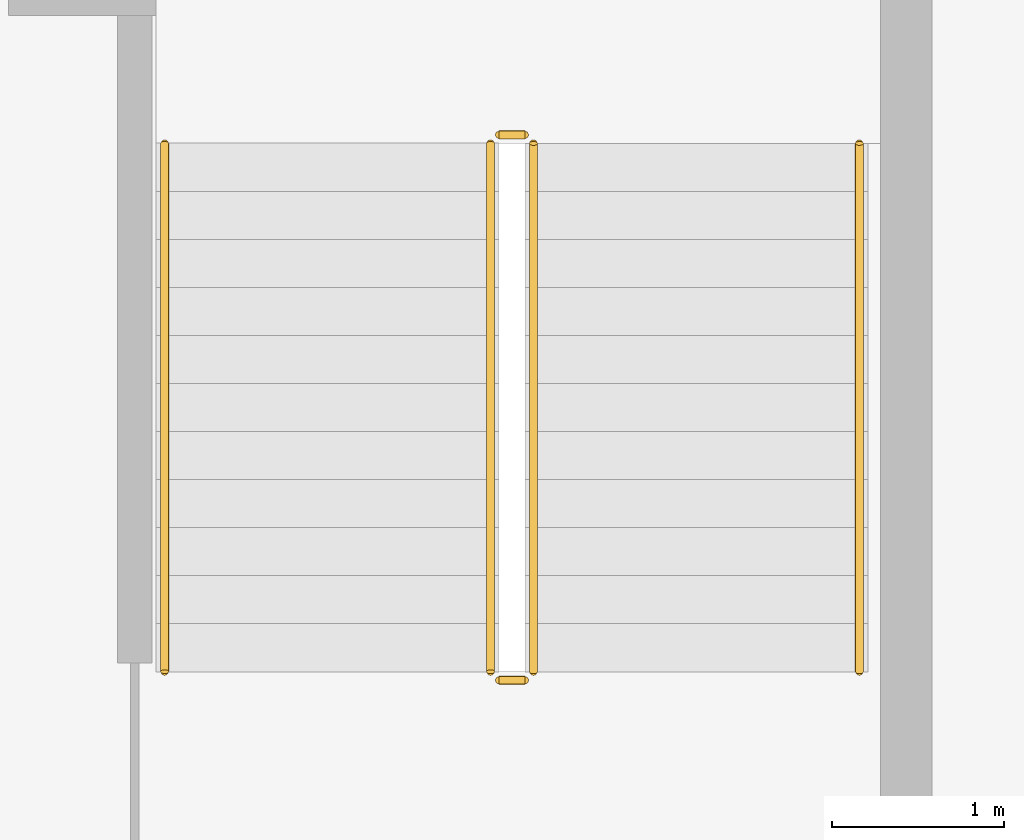
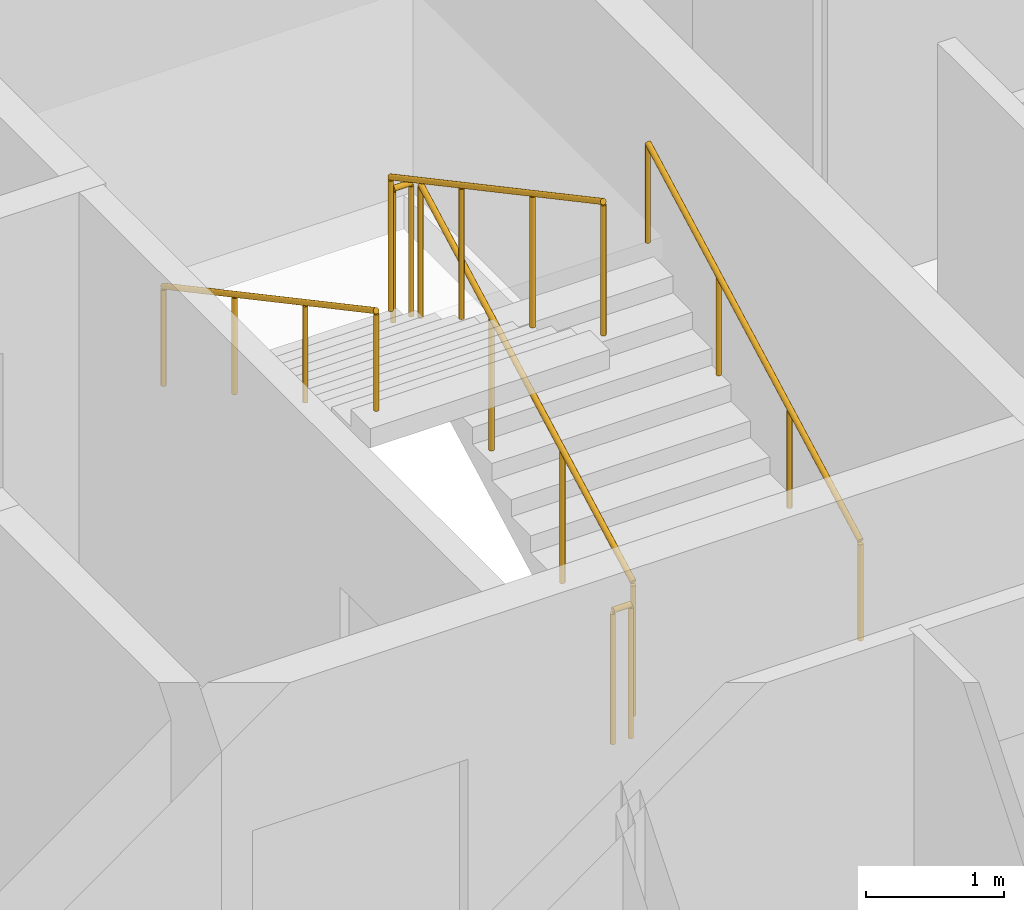
# One storey, part 15 of 15: 6 railings.
"""IFC4 building model written with IfcOpenShell, lengths in metres."""

from ifc_helpers import new_model, si_unit, direction, frame, origin, origin_2d, place, context, subcontext, project, spatial, circle, extrude, material, type_object, element, save


model = new_model("IFC4")

# Units and contexts
model_context = context("Model", 3, precision=1e-05, world=origin(), true_north=direction((0.0, 1.0)))
body_context = subcontext(model_context, "Body", "Model", "MODEL_VIEW")
ifc_project = project(units=[si_unit("LENGTHUNIT", "METRE"), si_unit("AREAUNIT", "SQUARE_METRE"), si_unit("VOLUMEUNIT", "CUBIC_METRE"), si_unit("PLANEANGLEUNIT", "RADIAN"), si_unit("MASSUNIT", "GRAM", prefix="KILO")], contexts=[model_context])

# Site, building, storey
site_placement = place(None, origin())
site = spatial("IfcSite", under=ifc_project, at=site_placement, CompositionType="ELEMENT")
building_placement = place(site_placement, origin())
building = spatial("IfcBuilding", under=site, at=building_placement, Name="Caravel Reach Hotel and Residences", CompositionType="ELEMENT")
storey_placement = place(building_placement, frame((0.0, 0.0, 108.0)))
storey = spatial("IfcBuildingStorey", under=building, at=storey_placement, Name="L26", CompositionType="ELEMENT", Elevation=108.0)

# Railings
ifc_material_1 = material(Name="Steel balustrade with glass infill", Category="steel")
railing_type_1 = type_object("IfcRailingType", Name="Guard 1200", PredefinedType="GUARDRAIL", material=ifc_material_1)
railing_1_placement = place(storey_placement, frame((42.824951171875, 24.64990234375, 0.14990234375)))
element("IfcRailing", 1, at=railing_1_placement, inside=storey, type_object=railing_type_1, Name="L26 ST-B stair guard 1", PredefinedType="GUARDRAIL", context=body_context, shape_type="SweptSolid", body=[
    extrude(circle(Radius=0.02392578125, at=origin_2d()), frame((0.0, 0.0, 1.17578125), z_axis=(0.0, 0.881467505477, 0.472244678941), x_axis=(-1.0, 0.0, 0.0)), (0.0, 0.0, 1.0), 3.494140625),
    extrude(circle(Radius=0.02099609375, at=origin_2d()), origin(), (0.0, 0.0, 1.0), 1.15185546875),
    extrude(circle(Radius=0.02099609375, at=origin_2d()), frame((0.0, 1.026611328125, 0.550048828125)), (0.0, 0.0, 1.0), 1.15185546875),
    extrude(circle(Radius=0.02099609375, at=origin_2d()), frame((0.0, 2.053466796875, 1.10009765625)), (0.0, 0.0, 1.0), 1.15185546875),
    extrude(circle(Radius=0.02099609375, at=origin_2d()), frame((0.0, 3.080078125, 1.650146484375)), (0.0, 0.0, 1.0), 1.15185546875),
])
railing_2_placement = place(storey_placement, frame((42.77490234375, 27.780029296875, 1.800048828125)))
element("IfcRailing", 2, at=railing_2_placement, inside=storey, type_object=railing_type_1, Name="L26 ST-B stair guard 2", PredefinedType="GUARDRAIL", context=body_context, shape_type="SweptSolid", body=[
    extrude(circle(Radius=0.02392578125, at=origin_2d()), frame((0.0, 0.0, 1.17578125), z_axis=(-1.0, 0.0, 0.0), x_axis=(0.0, -1.0, 0.0)), (0.0, 0.0, 1.0), 0.14990234375),
    extrude(circle(Radius=0.02099609375, at=origin_2d()), origin(), (0.0, 0.0, 1.0), 1.15185546875),
    extrude(circle(Radius=0.02099609375, at=origin_2d()), frame((-0.14990234375, 0.0, 0.0)), (0.0, 0.0, 1.0), 1.15185546875),
])
railing_3_placement = place(storey_placement, frame((42.574951171875, 27.72998046875, 1.949951171875)))
element("IfcRailing", 3, at=railing_3_placement, inside=storey, type_object=railing_type_1, Name="L26 ST-B stair guard 3", PredefinedType="GUARDRAIL", context=body_context, shape_type="SweptSolid", body=[
    extrude(circle(Radius=0.02392578125, at=origin_2d()), frame((0.0, 0.0, 1.17578125), z_axis=(0.0, -0.881467505477, 0.472244678941), x_axis=(1.0, 0.0, 0.0)), (0.0, 0.0, 1.0), 3.494140625),
    extrude(circle(Radius=0.02099609375, at=origin_2d()), origin(), (0.0, 0.0, 1.0), 1.15185546875),
    extrude(circle(Radius=0.02099609375, at=origin_2d()), frame((0.0, -1.026611328125, 0.550048828125)), (0.0, 0.0, 1.0), 1.15185546875),
    extrude(circle(Radius=0.02099609375, at=origin_2d()), frame((0.0, -2.053466796875, 1.10009765625)), (0.0, 0.0, 1.0), 1.15185546875),
    extrude(circle(Radius=0.02099609375, at=origin_2d()), frame((0.0, -3.080078125, 1.650146484375)), (0.0, 0.0, 1.0), 1.15185546875),
])
railing_4_placement = place(storey_placement, frame((42.77490234375, 24.60009765625, 0.0)))
element("IfcRailing", 4, at=railing_4_placement, inside=storey, type_object=railing_type_1, Name="L26 ST-B stair guard 4", PredefinedType="GUARDRAIL", context=body_context, shape_type="SweptSolid", body=[
    extrude(circle(Radius=0.02392578125, at=origin_2d()), frame((0.0, 0.0, 1.17578125), z_axis=(-1.0, 0.0, 0.0), x_axis=(0.0, -1.0, 0.0)), (0.0, 0.0, 1.0), 0.14990234375),
    extrude(circle(Radius=0.02099609375, at=origin_2d()), origin(), (0.0, 0.0, 1.0), 1.15185546875),
    extrude(circle(Radius=0.02099609375, at=origin_2d()), frame((-0.14990234375, 0.0, 0.0)), (0.0, 0.0, 1.0), 1.15185546875),
])
ifc_material_2 = material(Name="Stainless steel handrail", Category="steel")
railing_type_2 = type_object("IfcRailingType", Name="Handrail 900", PredefinedType="HANDRAIL", material=ifc_material_2)
railing_5_placement = place(storey_placement, frame((44.72509765625, 24.64990234375, 0.14990234375)))
element("IfcRailing", 5, at=railing_5_placement, inside=storey, type_object=railing_type_2, Name="L26 ST-B stair handrail 1", PredefinedType="HANDRAIL", context=body_context, shape_type="SweptSolid", body=[
    extrude(circle(Radius=0.02392578125, at=origin_2d()), frame((0.0, 0.0, 0.8759765625), z_axis=(0.0, 0.881467505477, 0.472244678941), x_axis=(-1.0, 0.0, 0.0)), (0.0, 0.0, 1.0), 3.494140625),
    extrude(circle(Radius=0.02099609375, at=origin_2d()), origin(), (0.0, 0.0, 1.0), 0.851806640625),
    extrude(circle(Radius=0.02099609375, at=origin_2d()), frame((0.0, 1.026611328125, 0.550048828125)), (0.0, 0.0, 1.0), 0.851806640625),
    extrude(circle(Radius=0.02099609375, at=origin_2d()), frame((0.0, 2.053466796875, 1.10009765625)), (0.0, 0.0, 1.0), 0.851806640625),
    extrude(circle(Radius=0.02099609375, at=origin_2d()), frame((0.0, 3.080078125, 1.650146484375)), (0.0, 0.0, 1.0), 0.851806640625),
])
railing_6_placement = place(storey_placement, frame((40.675048828125, 27.72998046875, 1.949951171875)))
element("IfcRailing", 6, at=railing_6_placement, inside=storey, type_object=railing_type_2, Name="L26 ST-B stair handrail 2", PredefinedType="HANDRAIL", context=body_context, shape_type="SweptSolid", body=[
    extrude(circle(Radius=0.02392578125, at=origin_2d()), frame((0.0, 0.0, 0.8759765625), z_axis=(0.0, -0.881467505477, 0.472244678941), x_axis=(1.0, 0.0, 0.0)), (0.0, 0.0, 1.0), 3.494140625),
    extrude(circle(Radius=0.02099609375, at=origin_2d()), origin(), (0.0, 0.0, 1.0), 0.851806640625),
    extrude(circle(Radius=0.02099609375, at=origin_2d()), frame((0.0, -1.026611328125, 0.550048828125)), (0.0, 0.0, 1.0), 0.851806640625),
    extrude(circle(Radius=0.02099609375, at=origin_2d()), frame((0.0, -2.053466796875, 1.10009765625)), (0.0, 0.0, 1.0), 0.851806640625),
    extrude(circle(Radius=0.02099609375, at=origin_2d()), frame((0.0, -3.080078125, 1.650146484375)), (0.0, 0.0, 1.0), 0.851806640625),
])

save(model, "model.ifc")
